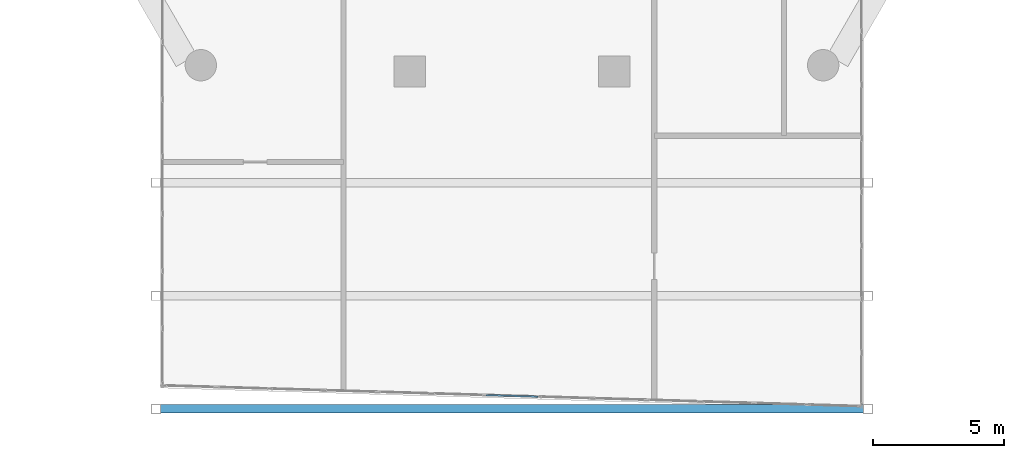
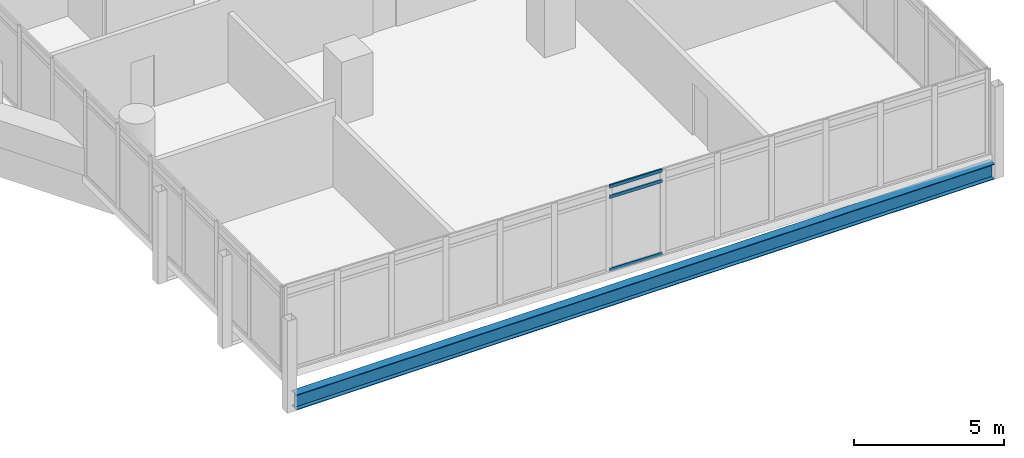
# One storey, part 4 of 36: 3 members, 1 beam, 1 element without a shape of its own.
"""IFC4 building model written with IfcOpenShell, lengths in metres."""

from ifc_helpers import new_model, si_unit, direction, frame, origin, origin_2d, place, context, subcontext, project, spatial, hollow_rectangle, i_section, extrude, material, material_profile, profile_set, type_object, element, aggregate, save


model = new_model("IFC4")

# Units and contexts
model_context = context("Model", 3, precision=1e-05, world=origin(), true_north=direction((0.0, 1.0)))
body_context = subcontext(model_context, "Body", "Model", "MODEL_VIEW")
ifc_project = project(units=[si_unit("LENGTHUNIT", "METRE"), si_unit("AREAUNIT", "SQUARE_METRE"), si_unit("VOLUMEUNIT", "CUBIC_METRE"), si_unit("PLANEANGLEUNIT", "RADIAN"), si_unit("MASSUNIT", "GRAM", prefix="KILO")], contexts=[model_context])

# Site, building, storey
site_placement = place(None, origin())
site = spatial("IfcSite", under=ifc_project, at=site_placement, CompositionType="ELEMENT")
building_placement = place(site_placement, origin())
building = spatial("IfcBuilding", under=site, at=building_placement, Name="Ostrander Bayou Hotel Tower", CompositionType="ELEMENT")
storey_placement = place(building_placement, frame((0.0, 0.0, 138.5)))
storey = spatial("IfcBuildingStorey", under=building, at=storey_placement, Name="L34", CompositionType="ELEMENT", Elevation=138.5)

# Curtain wall, members
ifc_material_1 = material(Name="Aluminium and clear glass", Category="aluminium")
curtain_wall_type = type_object("IfcCurtainWallType", Name="CW-BAR glazed wall", PredefinedType="NOTDEFINED", material=ifc_material_1)
curtain_wall_placement = place(storey_placement, origin())
curtain_wall = element("IfcCurtainWall", 1, at=curtain_wall_placement, inside=storey, type_object=curtain_wall_type, Name="CW-BAR L34:SB3S:T", PredefinedType="NOTDEFINED")
ifc_material_2 = material(Name="Aluminium", Category="aluminium")
ifc_material_profile_1 = material_profile(ifc_material_2, hollow_rectangle(XDim=0.06005859375, YDim=0.1298828125, WallThickness=0.00390625, at=origin_2d()))
ifc_profile_set_1 = profile_set([ifc_material_profile_1], Name="Aluminium")
member_type = type_object("IfcMemberType", Name="CW-BR transom 60 x 130 mm", PredefinedType="USERDEFINED", material=ifc_profile_set_1)
member_1_placement = place(storey_placement, frame((-0.998291015625, -30.92041015625, 0.030029296875), z_axis=(0.999558835181, -0.029700757758, 0.0), x_axis=(0.029700757758, 0.999558835181, 0.0)))
member_1 = element("IfcMember", 2, at=member_1_placement, type_object=member_type, Name="CW-BAR transom 7.1", ObjectType="TRANSOM", PredefinedType="USERDEFINED", context=body_context, shape_type="SweptSolid", body=[
    extrude(hollow_rectangle(XDim=0.06005859375, YDim=0.1298828125, WallThickness=0.00390625, at=origin_2d()), origin(), (0.0, 0.0, 1.0), 1.99755859375),
])
member_2_placement = place(storey_placement, frame((-0.998291015625, -30.92041015625, 3.0), z_axis=(0.999558835181, -0.029700757758, 0.0), x_axis=(0.029700757758, 0.999558835181, 0.0)))
member_2 = element("IfcMember", 3, at=member_2_placement, type_object=member_type, Name="CW-BAR transom 7.2", ObjectType="TRANSOM", PredefinedType="USERDEFINED", context=body_context, shape_type="SweptSolid", body=[
    extrude(hollow_rectangle(XDim=0.06005859375, YDim=0.1298828125, WallThickness=0.00390625, at=origin_2d()), origin(), (0.0, 0.0, 1.0), 1.99755859375),
])
member_3_placement = place(storey_placement, frame((-0.998291015625, -30.92041015625, 3.419921875), z_axis=(0.999558835181, -0.029700757758, 0.0), x_axis=(0.029700757758, 0.999558835181, 0.0)))
member_3 = element("IfcMember", 4, at=member_3_placement, type_object=member_type, Name="CW-BAR transom 7.3", ObjectType="TRANSOM", PredefinedType="USERDEFINED", context=body_context, shape_type="SweptSolid", body=[
    extrude(hollow_rectangle(XDim=0.06005859375, YDim=0.1298828125, WallThickness=0.00390625, at=origin_2d()), origin(), (0.0, 0.0, 1.0), 1.99755859375),
])
aggregate(curtain_wall, [member_1, member_2, member_3])

# Beam
ifc_material_3 = material(Name="Steel ASTM A992", Category="steel")
ifc_material_profile_2 = material_profile(ifc_material_3, i_section(OverallWidth=0.32763671875, OverallDepth=0.621826171875, WebThickness=0.015380859375, FlangeThickness=0.0244140625, at=origin_2d()))
ifc_profile_set_2 = profile_set([ifc_material_profile_2], Name="Steel ASTM A992")
beam_type = type_object("IfcBeamType", Name="TF1 bar floor beam W24x131", PredefinedType="BEAM", material=ifc_profile_set_2)
beam_placement = place(storey_placement, frame((-13.442138671875, -31.449951171875, -0.61083984375), z_axis=(1.0, 0.0, 0.0), x_axis=(0.0, 1.0, 0.0)))
element("IfcBeam", 5, at=beam_placement, inside=storey, type_object=beam_type, Name="TF1 SB3S L3-3", PredefinedType="BEAM", context=body_context, shape_type="SweptSolid", body=[
    extrude(i_section(OverallWidth=0.32763671875, OverallDepth=0.621826171875, WebThickness=0.015380859375, FlangeThickness=0.0244140625, at=origin_2d()), origin(), (0.0, 0.0, 1.0), 26.88427734375),
])

save(model, "model.ifc")
